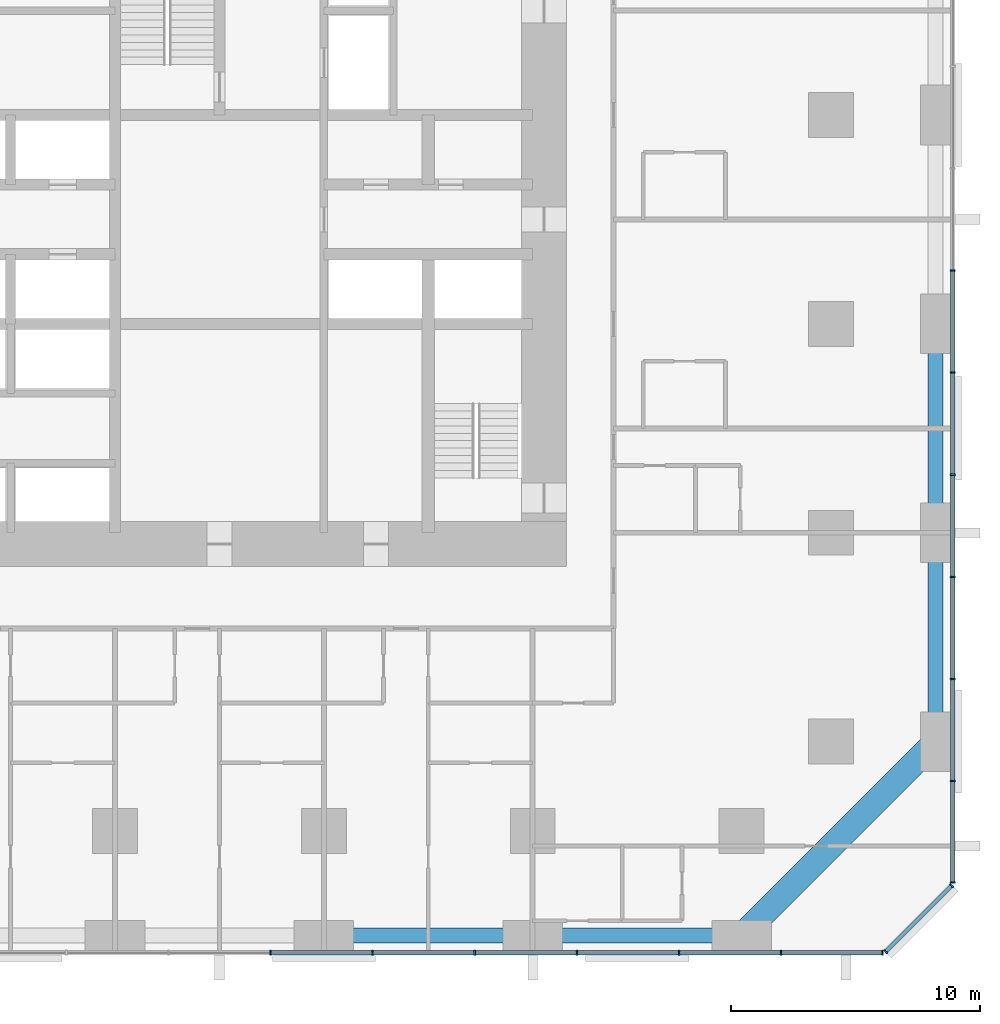
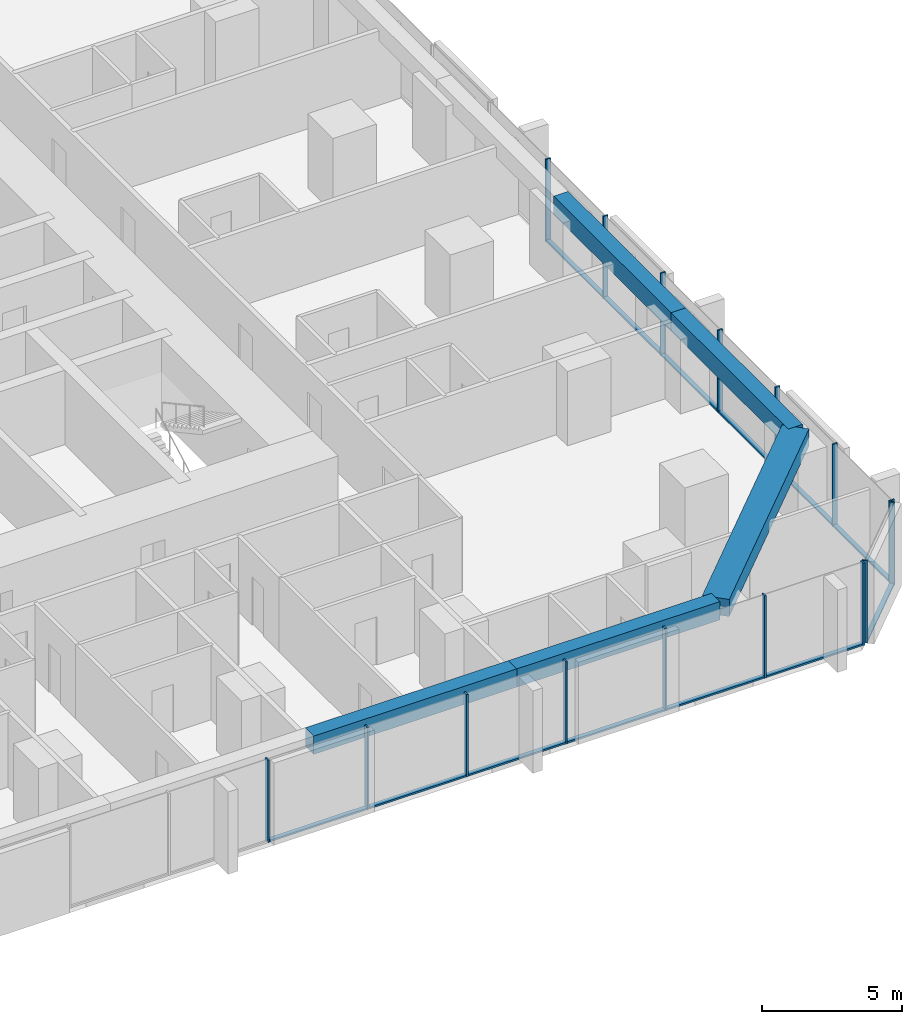
# One storey, part 4 of 17: 29 members, 5 beams, 3 elements without a shape of their own.
"""IFC4 building model written with IfcOpenShell, lengths in metres."""

from ifc_helpers import new_model, si_unit, direction, frame, origin, origin_2d, place, context, subcontext, project, spatial, rectangle, extrude, material, material_profile, profile_set, type_object, element, aggregate, save


model = new_model("IFC4")

# Units and contexts
model_context = context("Model", 3, precision=1e-05, world=origin(), true_north=direction((0.0, 1.0)))
body_context = subcontext(model_context, "Body", "Model", "MODEL_VIEW")
ifc_project = project(units=[si_unit("LENGTHUNIT", "METRE"), si_unit("AREAUNIT", "SQUARE_METRE"), si_unit("VOLUMEUNIT", "CUBIC_METRE"), si_unit("PLANEANGLEUNIT", "RADIAN"), si_unit("MASSUNIT", "GRAM", prefix="KILO")], contexts=[model_context])

# Site, building, storey
site_placement = place(None, origin())
site = spatial("IfcSite", under=ifc_project, at=site_placement, CompositionType="ELEMENT")
building_placement = place(site_placement, origin())
building = spatial("IfcBuilding", under=site, at=building_placement, Name="Dunama Terrace Hotel", CompositionType="ELEMENT")
storey_placement = place(building_placement, frame((0.0, 0.0, 48.60009765625)))
storey = spatial("IfcBuildingStorey", under=building, at=storey_placement, Name="L11", CompositionType="ELEMENT", Elevation=48.60009765625)

# Curtain wall, members
ifc_material_1 = material(Name="Aluminium curtain wall system", Category="aluminium")
curtain_wall_type = type_object("IfcCurtainWallType", Name="Unitised fritted glass wall CW-A", PredefinedType="NOTDEFINED", material=ifc_material_1)
curtain_wall_1_placement = place(storey_placement, origin())
curtain_wall_1 = element("IfcCurtainWall", 1, at=curtain_wall_1_placement, inside=storey, type_object=curtain_wall_type, Name="Unitised fritted glass wall CW-A L11", PredefinedType="NOTDEFINED")
ifc_material_2 = material(Name="Aluminium mullion", Category="aluminium")
ifc_material_profile_1 = material_profile(ifc_material_2, rectangle(XDim=0.06494140625, YDim=0.199951171875, at=origin_2d()), Name="CWA MULLION 65X200")
ifc_profile_set_1 = profile_set([ifc_material_profile_1], Name="Aluminium mullion")
member_type_1 = type_object("IfcMemberType", Name="CWA mullion 65x200", PredefinedType="MULLION", material=ifc_profile_set_1)
member_1_placement = place(storey_placement, frame((31.4541015625, -0.10009765625, 0.0), z_axis=(0.0, 0.0, 1.0), x_axis=(1.0, 0.0, 0.0)))
member_1 = element("IfcMember", 2, at=member_1_placement, type_object=member_type_1, Name="CWA mullion", PredefinedType="MULLION", context=body_context, shape_type="SweptSolid", body=[
    extrude(rectangle(XDim=0.06494140625, YDim=0.199951171875, at=origin_2d()), origin(), (0.0, 0.0, 1.0), 3.599853515625),
])
member_2_placement = place(storey_placement, frame((35.56201171875, -0.10009765625, 0.0), z_axis=(0.0, 0.0, 1.0), x_axis=(1.0, 0.0, 0.0)))
member_2 = element("IfcMember", 3, at=member_2_placement, type_object=member_type_1, Name="CWA mullion", PredefinedType="MULLION", context=body_context, shape_type="SweptSolid", body=[
    extrude(rectangle(XDim=0.06494140625, YDim=0.199951171875, at=origin_2d()), origin(), (0.0, 0.0, 1.0), 3.599853515625),
])
member_3_placement = place(storey_placement, frame((39.6689453125, -0.10009765625, 0.0), z_axis=(0.0, 0.0, 1.0), x_axis=(1.0, 0.0, 0.0)))
member_3 = element("IfcMember", 4, at=member_3_placement, type_object=member_type_1, Name="CWA mullion", PredefinedType="MULLION", context=body_context, shape_type="SweptSolid", body=[
    extrude(rectangle(XDim=0.06494140625, YDim=0.199951171875, at=origin_2d()), origin(), (0.0, 0.0, 1.0), 3.599853515625),
])
member_4_placement = place(storey_placement, frame((43.777099609375, -0.10009765625, 0.0), z_axis=(0.0, 0.0, 1.0), x_axis=(1.0, 0.0, 0.0)))
member_4 = element("IfcMember", 5, at=member_4_placement, type_object=member_type_1, Name="CWA mullion", PredefinedType="MULLION", context=body_context, shape_type="SweptSolid", body=[
    extrude(rectangle(XDim=0.06494140625, YDim=0.199951171875, at=origin_2d()), origin(), (0.0, 0.0, 1.0), 3.599853515625),
])
member_5_placement = place(storey_placement, frame((47.885009765625, -0.10009765625, 0.0), z_axis=(0.0, 0.0, 1.0), x_axis=(1.0, 0.0, 0.0)))
member_5 = element("IfcMember", 6, at=member_5_placement, type_object=member_type_1, Name="CWA mullion", PredefinedType="MULLION", context=body_context, shape_type="SweptSolid", body=[
    extrude(rectangle(XDim=0.06494140625, YDim=0.199951171875, at=origin_2d()), origin(), (0.0, 0.0, 1.0), 3.599853515625),
])
member_6_placement = place(storey_placement, frame((51.991943359375, -0.10009765625, 0.0), z_axis=(0.0, 0.0, 1.0), x_axis=(1.0, 0.0, 0.0)))
member_6 = element("IfcMember", 7, at=member_6_placement, type_object=member_type_1, Name="CWA mullion", PredefinedType="MULLION", context=body_context, shape_type="SweptSolid", body=[
    extrude(rectangle(XDim=0.06494140625, YDim=0.199951171875, at=origin_2d()), origin(), (0.0, 0.0, 1.0), 3.599853515625),
])
member_7_placement = place(storey_placement, frame((56.06689453125, -0.10009765625, 0.0), z_axis=(0.0, 0.0, 1.0), x_axis=(1.0, 0.0, 0.0)))
member_7 = element("IfcMember", 8, at=member_7_placement, type_object=member_type_1, Name="CWA mullion", PredefinedType="MULLION", context=body_context, shape_type="SweptSolid", body=[
    extrude(rectangle(XDim=0.06494140625, YDim=0.199951171875, at=origin_2d()), origin(), (0.0, 0.0, 1.0), 3.599853515625),
])

curtain_wall_2_placement = place(storey_placement, origin())
curtain_wall_2 = element("IfcCurtainWall", 9, at=curtain_wall_2_placement, inside=storey, type_object=curtain_wall_type, Name="Unitised fritted glass wall CW-A L11", PredefinedType="NOTDEFINED")
member_8_placement = place(storey_placement, frame((56.194091796875, -0.048095703125, 0.0), z_axis=(0.0, 0.0, 1.0), x_axis=(0.707106781187, 0.707106781187, 0.0)))
member_8 = element("IfcMember", 10, at=member_8_placement, type_object=member_type_1, Name="CWA mullion", PredefinedType="MULLION", context=body_context, shape_type="SweptSolid", body=[
    extrude(rectangle(XDim=0.06494140625, YDim=0.199951171875, at=origin_2d()), origin(), (0.0, 0.0, 1.0), 3.599853515625),
])
member_9_placement = place(storey_placement, frame((58.847900390625, 2.60595703125, 0.0), z_axis=(0.0, 0.0, 1.0), x_axis=(0.707106781187, 0.707106781187, 0.0)))
member_9 = element("IfcMember", 11, at=member_9_placement, type_object=member_type_1, Name="CWA mullion", PredefinedType="MULLION", context=body_context, shape_type="SweptSolid", body=[
    extrude(rectangle(XDim=0.06494140625, YDim=0.199951171875, at=origin_2d()), origin(), (0.0, 0.0, 1.0), 3.599853515625),
])

curtain_wall_3_placement = place(storey_placement, origin())
curtain_wall_3 = element("IfcCurtainWall", 12, at=curtain_wall_3_placement, inside=storey, type_object=curtain_wall_type, Name="Unitised fritted glass wall CW-A L11", PredefinedType="NOTDEFINED")
member_10_placement = place(storey_placement, frame((58.89990234375, 2.73291015625, 0.0), z_axis=(0.0, 0.0, 1.0), x_axis=(0.0, 1.0, 0.0)))
member_10 = element("IfcMember", 13, at=member_10_placement, type_object=member_type_1, Name="CWA mullion", PredefinedType="MULLION", context=body_context, shape_type="SweptSolid", body=[
    extrude(rectangle(XDim=0.06494140625, YDim=0.199951171875, at=origin_2d()), origin(), (0.0, 0.0, 1.0), 3.599853515625),
])
member_11_placement = place(storey_placement, frame((58.89990234375, 6.80810546875, 0.0), z_axis=(0.0, 0.0, 1.0), x_axis=(0.0, 1.0, 0.0)))
member_11 = element("IfcMember", 14, at=member_11_placement, type_object=member_type_1, Name="CWA mullion", PredefinedType="MULLION", context=body_context, shape_type="SweptSolid", body=[
    extrude(rectangle(XDim=0.06494140625, YDim=0.199951171875, at=origin_2d()), origin(), (0.0, 0.0, 1.0), 3.599853515625),
])
member_12_placement = place(storey_placement, frame((58.89990234375, 10.9150390625, 0.0), z_axis=(0.0, 0.0, 1.0), x_axis=(0.0, 1.0, 0.0)))
member_12 = element("IfcMember", 15, at=member_12_placement, type_object=member_type_1, Name="CWA mullion", PredefinedType="MULLION", context=body_context, shape_type="SweptSolid", body=[
    extrude(rectangle(XDim=0.06494140625, YDim=0.199951171875, at=origin_2d()), origin(), (0.0, 0.0, 1.0), 3.599853515625),
])
member_13_placement = place(storey_placement, frame((58.89990234375, 15.02294921875, 0.0), z_axis=(0.0, 0.0, 1.0), x_axis=(0.0, 1.0, 0.0)))
member_13 = element("IfcMember", 16, at=member_13_placement, type_object=member_type_1, Name="CWA mullion", PredefinedType="MULLION", context=body_context, shape_type="SweptSolid", body=[
    extrude(rectangle(XDim=0.06494140625, YDim=0.199951171875, at=origin_2d()), origin(), (0.0, 0.0, 1.0), 3.599853515625),
])
member_14_placement = place(storey_placement, frame((58.89990234375, 19.131103515625, 0.0), z_axis=(0.0, 0.0, 1.0), x_axis=(0.0, 1.0, 0.0)))
member_14 = element("IfcMember", 17, at=member_14_placement, type_object=member_type_1, Name="CWA mullion", PredefinedType="MULLION", context=body_context, shape_type="SweptSolid", body=[
    extrude(rectangle(XDim=0.06494140625, YDim=0.199951171875, at=origin_2d()), origin(), (0.0, 0.0, 1.0), 3.599853515625),
])
member_15_placement = place(storey_placement, frame((58.89990234375, 23.238037109375, 0.0), z_axis=(0.0, 0.0, 1.0), x_axis=(0.0, 1.0, 0.0)))
member_15 = element("IfcMember", 18, at=member_15_placement, type_object=member_type_1, Name="CWA mullion", PredefinedType="MULLION", context=body_context, shape_type="SweptSolid", body=[
    extrude(rectangle(XDim=0.06494140625, YDim=0.199951171875, at=origin_2d()), origin(), (0.0, 0.0, 1.0), 3.599853515625),
])
member_16_placement = place(storey_placement, frame((58.89990234375, 27.345947265625, 0.0), z_axis=(0.0, 0.0, 1.0), x_axis=(0.0, 1.0, 0.0)))
member_16 = element("IfcMember", 19, at=member_16_placement, type_object=member_type_1, Name="CWA mullion", PredefinedType="MULLION", context=body_context, shape_type="SweptSolid", body=[
    extrude(rectangle(XDim=0.06494140625, YDim=0.199951171875, at=origin_2d()), origin(), (0.0, 0.0, 1.0), 3.599853515625),
])

# Member
ifc_material_3 = material(Name="Aluminium transom", Category="aluminium")
ifc_material_profile_2 = material_profile(ifc_material_3, rectangle(XDim=0.179931640625, YDim=0.074951171875, at=origin_2d()), Name="CWA TRANSOM 180X75")
ifc_profile_set_2 = profile_set([ifc_material_profile_2], Name="Aluminium transom")
member_type_2 = type_object("IfcMemberType", Name="CWA transom 180x75", PredefinedType="USERDEFINED", material=ifc_profile_set_2)
member_17_placement = place(storey_placement, frame((31.486083984375, -0.10009765625, 0.037353515625), z_axis=(1.0, 0.0, 0.0), x_axis=(0.0, 1.0, 0.0)))
member_17 = element("IfcMember", 20, at=member_17_placement, type_object=member_type_2, Name="CWA transom", ObjectType="TRANSOM", PredefinedType="USERDEFINED", context=body_context, shape_type="SweptSolid", body=[
    extrude(rectangle(XDim=0.179931640625, YDim=0.074951171875, at=origin_2d()), origin(), (0.0, 0.0, 1.0), 4.04296875),
])

member_18_placement = place(storey_placement, frame((35.593994140625, -0.10009765625, 0.037353515625), z_axis=(1.0, 0.0, 0.0), x_axis=(0.0, 1.0, 0.0)))
member_18 = element("IfcMember", 21, at=member_18_placement, type_object=member_type_2, Name="CWA transom", ObjectType="TRANSOM", PredefinedType="USERDEFINED", context=body_context, shape_type="SweptSolid", body=[
    extrude(rectangle(XDim=0.179931640625, YDim=0.074951171875, at=origin_2d()), origin(), (0.0, 0.0, 1.0), 4.04296875),
])

member_19_placement = place(storey_placement, frame((39.701904296875, -0.10009765625, 0.037353515625), z_axis=(1.0, 0.0, 0.0), x_axis=(0.0, 1.0, 0.0)))
member_19 = element("IfcMember", 22, at=member_19_placement, type_object=member_type_2, Name="CWA transom", ObjectType="TRANSOM", PredefinedType="USERDEFINED", context=body_context, shape_type="SweptSolid", body=[
    extrude(rectangle(XDim=0.179931640625, YDim=0.074951171875, at=origin_2d()), origin(), (0.0, 0.0, 1.0), 4.0419921875),
])

member_20_placement = place(storey_placement, frame((43.80908203125, -0.10009765625, 0.037353515625), z_axis=(1.0, 0.0, 0.0), x_axis=(0.0, 1.0, 0.0)))
member_20 = element("IfcMember", 23, at=member_20_placement, type_object=member_type_2, Name="CWA transom", ObjectType="TRANSOM", PredefinedType="USERDEFINED", context=body_context, shape_type="SweptSolid", body=[
    extrude(rectangle(XDim=0.179931640625, YDim=0.074951171875, at=origin_2d()), origin(), (0.0, 0.0, 1.0), 4.04296875),
])

member_21_placement = place(storey_placement, frame((47.9169921875, -0.10009765625, 0.037353515625), z_axis=(1.0, 0.0, 0.0), x_axis=(0.0, 1.0, 0.0)))
member_21 = element("IfcMember", 24, at=member_21_placement, type_object=member_type_2, Name="CWA transom", ObjectType="TRANSOM", PredefinedType="USERDEFINED", context=body_context, shape_type="SweptSolid", body=[
    extrude(rectangle(XDim=0.179931640625, YDim=0.074951171875, at=origin_2d()), origin(), (0.0, 0.0, 1.0), 4.04296875),
])

member_22_placement = place(storey_placement, frame((52.02490234375, -0.10009765625, 0.037353515625), z_axis=(1.0, 0.0, 0.0), x_axis=(0.0, 1.0, 0.0)))
member_22 = element("IfcMember", 25, at=member_22_placement, type_object=member_type_2, Name="CWA transom", ObjectType="TRANSOM", PredefinedType="USERDEFINED", context=body_context, shape_type="SweptSolid", body=[
    extrude(rectangle(XDim=0.179931640625, YDim=0.074951171875, at=origin_2d()), origin(), (0.0, 0.0, 1.0), 4.010009765625),
])

aggregate(curtain_wall_1, [member_1, member_2, member_3, member_4, member_5, member_6, member_7, member_17, member_18, member_19, member_20, member_21, member_22])

member_23_placement = place(storey_placement, frame((56.217041015625, -0.02490234375, 0.037353515625), z_axis=(0.707106781187, 0.707106781187, 0.0), x_axis=(-0.707106781187, 0.707106781187, 0.0)))
member_23 = element("IfcMember", 26, at=member_23_placement, type_object=member_type_2, Name="CWA transom", ObjectType="TRANSOM", PredefinedType="USERDEFINED", context=body_context, shape_type="SweptSolid", body=[
    extrude(rectangle(XDim=0.179931640625, YDim=0.074951171875, at=origin_2d()), origin(), (0.0, 0.0, 1.0), 3.688232421875),
])

aggregate(curtain_wall_2, [member_8, member_9, member_23])

member_24_placement = place(storey_placement, frame((58.89990234375, 2.764892578125, 0.037353515625), z_axis=(0.0, 1.0, 0.0), x_axis=(-1.0, 0.0, 0.0)))
member_24 = element("IfcMember", 27, at=member_24_placement, type_object=member_type_2, Name="CWA transom", ObjectType="TRANSOM", PredefinedType="USERDEFINED", context=body_context, shape_type="SweptSolid", body=[
    extrude(rectangle(XDim=0.179931640625, YDim=0.074951171875, at=origin_2d()), origin(), (0.0, 0.0, 1.0), 4.010009765625),
])

member_25_placement = place(storey_placement, frame((58.89990234375, 6.840087890625, 0.037353515625), z_axis=(0.0, 1.0, 0.0), x_axis=(-1.0, 0.0, 0.0)))
member_25 = element("IfcMember", 28, at=member_25_placement, type_object=member_type_2, Name="CWA transom", ObjectType="TRANSOM", PredefinedType="USERDEFINED", context=body_context, shape_type="SweptSolid", body=[
    extrude(rectangle(XDim=0.179931640625, YDim=0.074951171875, at=origin_2d()), origin(), (0.0, 0.0, 1.0), 4.04296875),
])

member_26_placement = place(storey_placement, frame((58.89990234375, 10.947998046875, 0.037353515625), z_axis=(0.0, 1.0, 0.0), x_axis=(-1.0, 0.0, 0.0)))
member_26 = element("IfcMember", 29, at=member_26_placement, type_object=member_type_2, Name="CWA transom", ObjectType="TRANSOM", PredefinedType="USERDEFINED", context=body_context, shape_type="SweptSolid", body=[
    extrude(rectangle(XDim=0.179931640625, YDim=0.074951171875, at=origin_2d()), origin(), (0.0, 0.0, 1.0), 4.04296875),
])

member_27_placement = place(storey_placement, frame((58.89990234375, 15.055908203125, 0.037353515625), z_axis=(0.0, 1.0, 0.0), x_axis=(-1.0, 0.0, 0.0)))
member_27 = element("IfcMember", 30, at=member_27_placement, type_object=member_type_2, Name="CWA transom", ObjectType="TRANSOM", PredefinedType="USERDEFINED", context=body_context, shape_type="SweptSolid", body=[
    extrude(rectangle(XDim=0.179931640625, YDim=0.074951171875, at=origin_2d()), origin(), (0.0, 0.0, 1.0), 4.0419921875),
])

member_28_placement = place(storey_placement, frame((58.89990234375, 19.1630859375, 0.037353515625), z_axis=(0.0, 1.0, 0.0), x_axis=(-1.0, 0.0, 0.0)))
member_28 = element("IfcMember", 31, at=member_28_placement, type_object=member_type_2, Name="CWA transom", ObjectType="TRANSOM", PredefinedType="USERDEFINED", context=body_context, shape_type="SweptSolid", body=[
    extrude(rectangle(XDim=0.179931640625, YDim=0.074951171875, at=origin_2d()), origin(), (0.0, 0.0, 1.0), 4.04296875),
])

member_29_placement = place(storey_placement, frame((58.89990234375, 23.27099609375, 0.037353515625), z_axis=(0.0, 1.0, 0.0), x_axis=(-1.0, 0.0, 0.0)))
member_29 = element("IfcMember", 32, at=member_29_placement, type_object=member_type_2, Name="CWA transom", ObjectType="TRANSOM", PredefinedType="USERDEFINED", context=body_context, shape_type="SweptSolid", body=[
    extrude(rectangle(XDim=0.179931640625, YDim=0.074951171875, at=origin_2d()), origin(), (0.0, 0.0, 1.0), 4.04296875),
])

aggregate(curtain_wall_3, [member_10, member_11, member_12, member_13, member_14, member_15, member_16, member_24, member_25, member_26, member_27, member_28, member_29])

# Beams
ifc_material_4 = material(Name="Concrete C50/60", Category="concrete")
ifc_material_profile_3 = material_profile(ifc_material_4, rectangle(XDim=1.0, YDim=0.75, at=origin_2d()), Name="RC 1000x750")
ifc_profile_set_3 = profile_set([ifc_material_profile_3], Name="Concrete C50/60")
beam_type_1 = type_object("IfcBeamType", Name="Edge beam RC 1000x750", PredefinedType="SPANDREL", material=ifc_profile_set_3)
beam_1_placement = place(storey_placement, frame((50.39990234375, 0.60009765625, 3.224853515625), z_axis=(0.707117847453, 0.707095714747, 0.0), x_axis=(-0.707095714747, 0.707117847453, 0.0)))
element("IfcBeam", 33, at=beam_1_placement, inside=storey, type_object=beam_type_1, Name="Corner edge beam under L12", PredefinedType="SPANDREL", context=body_context, shape_type="SweptSolid", body=[
    extrude(rectangle(XDim=1.0, YDim=0.75, at=origin_2d()), origin(), (0.0, 0.0, 1.0), 11.03076171875),
])
ifc_material_5 = material(Name="Concrete C40/50", Category="concrete")
ifc_material_profile_4 = material_profile(ifc_material_5, rectangle(XDim=0.60009765625, YDim=0.800048828125, at=origin_2d()), Name="RC 600x800")
ifc_profile_set_4 = profile_set([ifc_material_profile_4], Name="Concrete C40/50")
beam_type_2 = type_object("IfcBeamType", Name="Edge beam RC 600x800", PredefinedType="SPANDREL", material=ifc_profile_set_4)
beam_2_placement = place(storey_placement, frame((58.199951171875, 8.39990234375, 3.199951171875), z_axis=(0.0, 1.0, 0.0), x_axis=(-1.0, 0.0, 0.0)))
element("IfcBeam", 34, at=beam_2_placement, inside=storey, type_object=beam_type_2, Name="Edge beam under L12", PredefinedType="SPANDREL", context=body_context, shape_type="SweptSolid", body=[
    extrude(rectangle(XDim=0.60009765625, YDim=0.800048828125, at=origin_2d()), origin(), (0.0, 0.0, 1.0), 8.400146484375),
])
for number, where, z_axis, x_axis, name in (
    (35, (58.199951171875, 16.800048828125, 3.199951171875), (0.0, 1.0, 0.0), (-1.0, 0.0, 0.0), "Edge beam under L12"),
    (36, (33.60009765625, 0.60009765625, 3.199951171875), (1.0, 0.0, 0.0), (0.0, 1.0, 0.0), "Edge beam under L12"),
    (37, (42.0, 0.60009765625, 3.199951171875), (1.0, 0.0, 0.0), (0.0, 1.0, 0.0), "Edge beam under L12"),
):
    element("IfcBeam", number, at=place(storey_placement, frame(where, z_axis=z_axis, x_axis=x_axis)), inside=storey, type_object=beam_type_2, Name=name, PredefinedType="SPANDREL", context=body_context, shape_type="SweptSolid", body=[
        extrude(rectangle(XDim=0.60009765625, YDim=0.800048828125, at=origin_2d()), origin(), (0.0, 0.0, 1.0), 8.39990234375),
    ])

save(model, "model.ifc")
